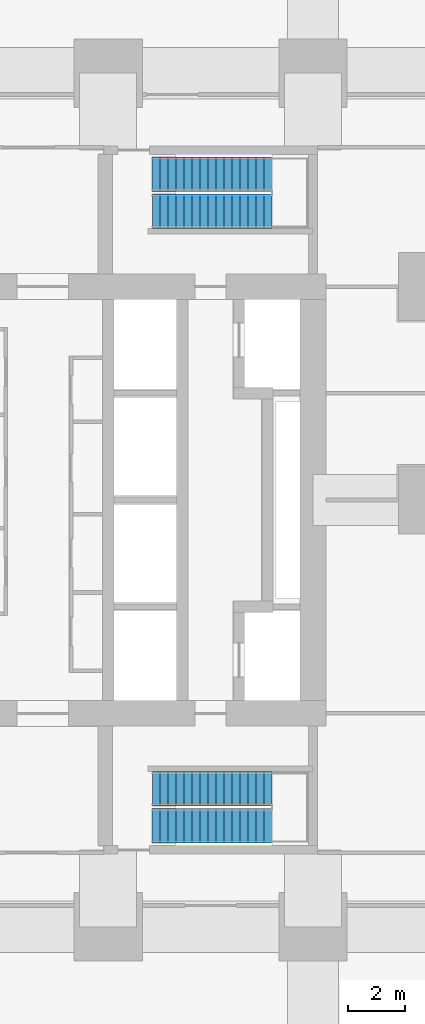
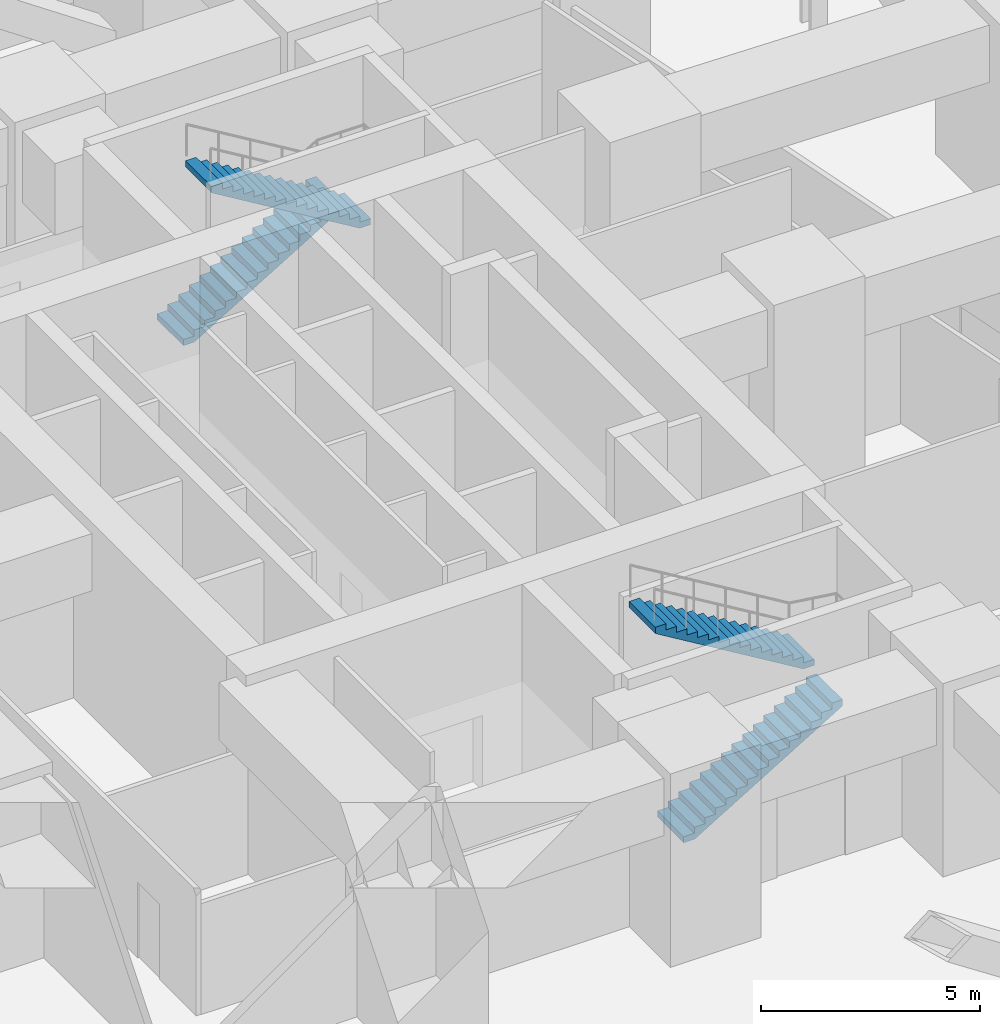
# One storey, part 7 of 8: 4 stair flights, 2 elements without a shape of their own.
"""IFC4 building model written with IfcOpenShell, lengths in metres."""

from ifc_helpers import new_model, si_unit, direction, frame, origin, place, context, subcontext, project, spatial, triangles, material, type_object, element, aggregate, save


model = new_model("IFC4")

# Units and contexts
model_context = context("Model", 3, precision=1e-05, world=origin(), true_north=direction((0.0, 1.0)))
body_context = subcontext(model_context, "Body", "Model", "MODEL_VIEW")
ifc_project = project(units=[si_unit("LENGTHUNIT", "METRE"), si_unit("AREAUNIT", "SQUARE_METRE"), si_unit("VOLUMEUNIT", "CUBIC_METRE"), si_unit("PLANEANGLEUNIT", "RADIAN"), si_unit("MASSUNIT", "GRAM", prefix="KILO")], contexts=[model_context])

# Site, building, storey
site_placement = place(None, origin())
site = spatial("IfcSite", under=ifc_project, at=site_placement, CompositionType="ELEMENT")
building_placement = place(site_placement, origin())
building = spatial("IfcBuilding", under=site, at=building_placement, Name="Sheger Commons Tower", CompositionType="ELEMENT")
storey_placement = place(building_placement, frame((0.0, 0.0, 14.60009765625)))
storey = spatial("IfcBuildingStorey", under=building, at=storey_placement, Name="L03", CompositionType="ELEMENT", Elevation=14.60009765625)

# Stair, stair flights
ifc_material_1 = material(Name="Concrete C35/45", Category="concrete")
stair_type = type_object("IfcStairType", Name="HALF-TURN STAIR 1200 RISE 5400", PredefinedType="HALF_TURN_STAIR", material=ifc_material_1)
stair_1_placement = place(storey_placement, origin())
stair_1 = element("IfcStair", 1, at=stair_1_placement, inside=storey, type_object=stair_type, Name="Stair S1 L03", PredefinedType="HALF_TURN_STAIR")
ifc_material_2 = material(Name="Concrete C35/45", Category="concrete")
stair_flight_type = type_object("IfcStairFlightType", Name="STAIR FLIGHT 1200 16 RISERS OF 169", PredefinedType="STRAIGHT", material=ifc_material_2)
stair_flight_1_placement = place(storey_placement, frame((23.14990234375, 11.050048828125, 0.0), z_axis=(0.0, 0.0, 1.0), x_axis=(1.0, 0.0, 0.0)))
stair_flight_1 = element("IfcStairFlight", 2, at=stair_flight_1_placement, type_object=stair_flight_type, Name="S1 flight 1", NumberOfRisers=16, NumberOfTreads=15, PredefinedType="STRAIGHT", RiserHeight=0.16875, TreadLength=0.28, context=body_context, shape_type="Tessellation", body=[
    triangles([(0.0, 0.5999755859375, 0.0), (0.0, 0.5999755859375, 0.168701171875), (0.280029296875, 0.5999755859375, 0.168701171875), (0.280029296875, 0.5999755859375, 0.33740234375), (0.56005859375, 0.5999755859375, 0.33740234375), (0.56005859375, 0.5999755859375, 0.50634765625), (0.840087890625, 0.5999755859375, 0.50634765625), (0.840087890625, 0.5999755859375, 0.675048828125), (1.1201171875, 0.5999755859375, 0.675048828125), (1.1201171875, 0.5999755859375, 0.84375), (1.39990234375, 0.5999755859375, 0.84375), (1.39990234375, 0.5999755859375, 1.012451171875), (1.679931640625, 0.5999755859375, 1.012451171875), (1.679931640625, 0.5999755859375, 1.18115234375), (1.9599609375, 0.5999755859375, 1.18115234375), (1.9599609375, 0.5999755859375, 1.35009765625), (2.239990234375, 0.5999755859375, 1.35009765625), (2.239990234375, 0.5999755859375, 1.518798828125), (2.52001953125, 0.5999755859375, 1.518798828125), (2.52001953125, 0.5999755859375, 1.6875), (2.800048828125, 0.5999755859375, 1.6875), (2.800048828125, 0.5999755859375, 1.856201171875), (3.080078125, 0.5999755859375, 1.856201171875), (3.080078125, 0.5999755859375, 2.02490234375), (3.360107421875, 0.5999755859375, 2.02490234375), (3.360107421875, 0.5999755859375, 2.19384765625), (3.639892578125, 0.5999755859375, 2.19384765625), (3.639892578125, 0.5999755859375, 2.362548828125), (3.919921875, 0.5999755859375, 2.362548828125), (3.919921875, 0.5999755859375, 2.53125), (4.199951171875, 0.5999755859375, 2.53125), (4.199951171875, 0.5999755859375, 2.356201171875), (0.29052734375, 0.5999755859375, 0.0), (0.0, -0.5999755859375, 0.0), (0.0, -0.5999755859375, 0.168701171875), (0.280029296875, -0.5999755859375, 0.168701171875), (0.280029296875, -0.5999755859375, 0.33740234375), (0.56005859375, -0.5999755859375, 0.33740234375), (0.56005859375, -0.5999755859375, 0.50634765625), (0.840087890625, -0.5999755859375, 0.50634765625), (0.840087890625, -0.5999755859375, 0.675048828125), (1.1201171875, -0.5999755859375, 0.675048828125), (1.1201171875, -0.5999755859375, 0.84375), (1.39990234375, -0.5999755859375, 0.84375), (1.39990234375, -0.5999755859375, 1.012451171875), (1.679931640625, -0.5999755859375, 1.012451171875), (1.679931640625, -0.5999755859375, 1.18115234375), (1.9599609375, -0.5999755859375, 1.18115234375), (1.9599609375, -0.5999755859375, 1.35009765625), (2.239990234375, -0.5999755859375, 1.35009765625), (2.239990234375, -0.5999755859375, 1.518798828125), (2.52001953125, -0.5999755859375, 1.518798828125), (2.52001953125, -0.5999755859375, 1.6875), (2.800048828125, -0.5999755859375, 1.6875), (2.800048828125, -0.5999755859375, 1.856201171875), (3.080078125, -0.5999755859375, 1.856201171875), (3.080078125, -0.5999755859375, 2.02490234375), (3.360107421875, -0.5999755859375, 2.02490234375), (3.360107421875, -0.5999755859375, 2.19384765625), (3.639892578125, -0.5999755859375, 2.19384765625), (3.639892578125, -0.5999755859375, 2.362548828125), (3.919921875, -0.5999755859375, 2.362548828125), (3.919921875, -0.5999755859375, 2.53125), (4.199951171875, -0.5999755859375, 2.53125), (4.199951171875, -0.5999755859375, 2.356201171875), (0.29052734375, -0.5999755859375, 0.0), (0.0, 0.0, 0.0843505859375), (0.1400146484375, 0.0, 0.168701171875), (0.280029296875, 0.0, 0.2530517578125), (0.4200439453125, 0.0, 0.33740234375), (0.56005859375, 0.0, 0.421875), (0.7000732421875, 0.0, 0.50634765625), (0.840087890625, 0.0, 0.5906982421875), (0.9801025390625, 0.0, 0.675048828125), (1.1201171875, 0.0, 0.7593994140625), (1.260009765625, 0.0, 0.84375), (1.39990234375, 0.0, 0.9281005859375), (1.5399169921875, 0.0, 1.012451171875), (1.679931640625, 0.0, 1.0968017578125), (1.8199462890625, 0.0, 1.18115234375), (1.9599609375, 0.0, 1.265625), (2.0999755859375, 0.0, 1.35009765625), (2.239990234375, 0.0, 1.4344482421875), (2.3800048828125, 0.0, 1.518798828125), (2.52001953125, 0.0, 1.6031494140625), (2.6600341796875, 0.0, 1.6875), (2.800048828125, 0.0, 1.7718505859375), (2.9400634765625, 0.0, 1.856201171875), (3.080078125, 0.0, 1.9405517578125), (3.2200927734375, 0.0, 2.02490234375), (3.360107421875, 0.0, 2.109375), (3.5, 0.0, 2.19384765625), (3.639892578125, 0.0, 2.2781982421875), (3.7799072265625, 0.0, 2.362548828125), (3.919921875, 0.0, 2.4468994140625), (4.0599365234375, 0.0, 2.53125), (4.199951171875, 0.0, 2.4437255859375), (2.2452392578125, 0.0, 1.1781005859375), (0.145263671875, 0.0, 0.0)], [[1, 32, 33], [34, 66, 65], [32, 30, 31], [65, 64, 63], [32, 29, 30], [65, 63, 62], [32, 28, 29], [65, 62, 61], [32, 27, 28], [65, 61, 60], [27, 25, 26], [60, 59, 58], [32, 25, 27], [65, 60, 58], [25, 23, 24], [58, 57, 56], [32, 23, 25], [65, 58, 56], [23, 21, 22], [56, 55, 54], [32, 21, 23], [65, 56, 54], [21, 19, 20], [54, 53, 52], [32, 19, 21], [65, 54, 52], [19, 17, 18], [52, 51, 50], [32, 17, 19], [65, 52, 50], [17, 15, 16], [50, 49, 48], [32, 15, 17], [65, 50, 48], [15, 13, 14], [48, 47, 46], [32, 13, 15], [65, 48, 46], [13, 11, 12], [46, 45, 44], [32, 11, 13], [65, 46, 44], [11, 9, 10], [44, 43, 42], [32, 9, 11], [65, 44, 42], [9, 7, 8], [42, 41, 40], [32, 7, 9], [65, 42, 40], [7, 5, 6], [40, 39, 38], [32, 5, 7], [65, 40, 38], [5, 3, 4], [38, 37, 36], [32, 3, 5], [65, 38, 36], [1, 3, 32], [34, 65, 36], [3, 1, 2], [36, 35, 34], [1, 67, 2], [2, 67, 35], [35, 67, 34], [34, 67, 1], [2, 68, 3], [3, 68, 36], [36, 68, 35], [35, 68, 2], [3, 69, 4], [4, 69, 37], [37, 69, 36], [36, 69, 3], [4, 70, 5], [5, 70, 38], [38, 70, 37], [37, 70, 4], [5, 71, 6], [6, 71, 39], [39, 71, 38], [38, 71, 5], [6, 72, 7], [7, 72, 40], [40, 72, 39], [39, 72, 6], [7, 73, 8], [8, 73, 41], [41, 73, 40], [40, 73, 7], [8, 74, 9], [9, 74, 42], [42, 74, 41], [41, 74, 8], [9, 75, 10], [10, 75, 43], [43, 75, 42], [42, 75, 9], [10, 76, 11], [11, 76, 44], [44, 76, 43], [43, 76, 10], [11, 77, 12], [12, 77, 45], [45, 77, 44], [44, 77, 11], [12, 78, 13], [13, 78, 46], [46, 78, 45], [45, 78, 12], [13, 79, 14], [14, 79, 47], [47, 79, 46], [46, 79, 13], [14, 80, 15], [15, 80, 48], [48, 80, 47], [47, 80, 14], [15, 81, 16], [16, 81, 49], [49, 81, 48], [48, 81, 15], [16, 82, 17], [17, 82, 50], [50, 82, 49], [49, 82, 16], [17, 83, 18], [18, 83, 51], [51, 83, 50], [50, 83, 17], [18, 84, 19], [19, 84, 52], [52, 84, 51], [51, 84, 18], [19, 85, 20], [20, 85, 53], [53, 85, 52], [52, 85, 19], [20, 86, 21], [21, 86, 54], [54, 86, 53], [53, 86, 20], [21, 87, 22], [22, 87, 55], [55, 87, 54], [54, 87, 21], [22, 88, 23], [23, 88, 56], [56, 88, 55], [55, 88, 22], [23, 89, 24], [24, 89, 57], [57, 89, 56], [56, 89, 23], [24, 90, 25], [25, 90, 58], [58, 90, 57], [57, 90, 24], [25, 91, 26], [26, 91, 59], [59, 91, 58], [58, 91, 25], [26, 92, 27], [27, 92, 60], [60, 92, 59], [59, 92, 26], [27, 93, 28], [28, 93, 61], [61, 93, 60], [60, 93, 27], [28, 94, 29], [29, 94, 62], [62, 94, 61], [61, 94, 28], [29, 95, 30], [30, 95, 63], [63, 95, 62], [62, 95, 29], [30, 96, 31], [31, 96, 64], [64, 96, 63], [63, 96, 30], [31, 97, 32], [32, 97, 65], [65, 97, 64], [64, 97, 31], [32, 98, 33], [33, 98, 66], [66, 98, 65], [65, 98, 32], [33, 99, 1], [1, 99, 34], [34, 99, 66], [66, 99, 33]], closed=True),
])
stair_flight_2_placement = place(storey_placement, frame((27.35009765625, 12.35009765625, 2.699951171875), z_axis=(0.0, 0.0, 1.0), x_axis=(-1.0, 0.0, 0.0)))
stair_flight_2 = element("IfcStairFlight", 3, at=stair_flight_2_placement, type_object=stair_flight_type, Name="S1 flight 2", NumberOfRisers=16, NumberOfTreads=15, PredefinedType="STRAIGHT", RiserHeight=0.16875, TreadLength=0.28, context=body_context, shape_type="Tessellation", body=[
    triangles([(0.0, 0.5999755859375, 0.0), (0.0, 0.5999755859375, 0.168701171875), (0.280029296875, 0.5999755859375, 0.168701171875), (0.280029296875, 0.5999755859375, 0.33740234375), (0.56005859375, 0.5999755859375, 0.33740234375), (0.56005859375, 0.5999755859375, 0.50634765625), (0.840087890625, 0.5999755859375, 0.50634765625), (0.840087890625, 0.5999755859375, 0.675048828125), (1.1201171875, 0.5999755859375, 0.675048828125), (1.1201171875, 0.5999755859375, 0.84375), (1.39990234375, 0.5999755859375, 0.84375), (1.39990234375, 0.5999755859375, 1.012451171875), (1.679931640625, 0.5999755859375, 1.012451171875), (1.679931640625, 0.5999755859375, 1.18115234375), (1.9599609375, 0.5999755859375, 1.18115234375), (1.9599609375, 0.5999755859375, 1.35009765625), (2.239990234375, 0.5999755859375, 1.35009765625), (2.239990234375, 0.5999755859375, 1.518798828125), (2.52001953125, 0.5999755859375, 1.518798828125), (2.52001953125, 0.5999755859375, 1.6875), (2.800048828125, 0.5999755859375, 1.6875), (2.800048828125, 0.5999755859375, 1.856201171875), (3.080078125, 0.5999755859375, 1.856201171875), (3.080078125, 0.5999755859375, 2.02490234375), (3.360107421875, 0.5999755859375, 2.02490234375), (3.360107421875, 0.5999755859375, 2.19384765625), (3.639892578125, 0.5999755859375, 2.19384765625), (3.639892578125, 0.5999755859375, 2.362548828125), (3.919921875, 0.5999755859375, 2.362548828125), (3.919921875, 0.5999755859375, 2.53125), (4.199951171875, 0.5999755859375, 2.53125), (4.199951171875, 0.5999755859375, 2.356201171875), (0.29052734375, 0.5999755859375, 0.0), (0.0, -0.5999755859375, 0.0), (0.0, -0.5999755859375, 0.168701171875), (0.280029296875, -0.5999755859375, 0.168701171875), (0.280029296875, -0.5999755859375, 0.33740234375), (0.56005859375, -0.5999755859375, 0.33740234375), (0.56005859375, -0.5999755859375, 0.50634765625), (0.840087890625, -0.5999755859375, 0.50634765625), (0.840087890625, -0.5999755859375, 0.675048828125), (1.1201171875, -0.5999755859375, 0.675048828125), (1.1201171875, -0.5999755859375, 0.84375), (1.39990234375, -0.5999755859375, 0.84375), (1.39990234375, -0.5999755859375, 1.012451171875), (1.679931640625, -0.5999755859375, 1.012451171875), (1.679931640625, -0.5999755859375, 1.18115234375), (1.9599609375, -0.5999755859375, 1.18115234375), (1.9599609375, -0.5999755859375, 1.35009765625), (2.239990234375, -0.5999755859375, 1.35009765625), (2.239990234375, -0.5999755859375, 1.518798828125), (2.52001953125, -0.5999755859375, 1.518798828125), (2.52001953125, -0.5999755859375, 1.6875), (2.800048828125, -0.5999755859375, 1.6875), (2.800048828125, -0.5999755859375, 1.856201171875), (3.080078125, -0.5999755859375, 1.856201171875), (3.080078125, -0.5999755859375, 2.02490234375), (3.360107421875, -0.5999755859375, 2.02490234375), (3.360107421875, -0.5999755859375, 2.19384765625), (3.639892578125, -0.5999755859375, 2.19384765625), (3.639892578125, -0.5999755859375, 2.362548828125), (3.919921875, -0.5999755859375, 2.362548828125), (3.919921875, -0.5999755859375, 2.53125), (4.199951171875, -0.5999755859375, 2.53125), (4.199951171875, -0.5999755859375, 2.356201171875), (0.29052734375, -0.5999755859375, 0.0), (0.0, 0.0, 0.0843505859375), (0.1400146484375, 0.0, 0.168701171875), (0.280029296875, 0.0, 0.2530517578125), (0.4200439453125, 0.0, 0.33740234375), (0.56005859375, 0.0, 0.421875), (0.7000732421875, 0.0, 0.50634765625), (0.840087890625, 0.0, 0.5906982421875), (0.9801025390625, 0.0, 0.675048828125), (1.1201171875, 0.0, 0.7593994140625), (1.260009765625, 0.0, 0.84375), (1.39990234375, 0.0, 0.9281005859375), (1.5399169921875, 0.0, 1.012451171875), (1.679931640625, 0.0, 1.0968017578125), (1.8199462890625, 0.0, 1.18115234375), (1.9599609375, 0.0, 1.265625), (2.0999755859375, 0.0, 1.35009765625), (2.239990234375, 0.0, 1.4344482421875), (2.3800048828125, 0.0, 1.518798828125), (2.52001953125, 0.0, 1.6031494140625), (2.6600341796875, 0.0, 1.6875), (2.800048828125, 0.0, 1.7718505859375), (2.9400634765625, 0.0, 1.856201171875), (3.080078125, 0.0, 1.9405517578125), (3.2200927734375, 0.0, 2.02490234375), (3.360107421875, 0.0, 2.109375), (3.5, 0.0, 2.19384765625), (3.639892578125, 0.0, 2.2781982421875), (3.7799072265625, 0.0, 2.362548828125), (3.919921875, 0.0, 2.4468994140625), (4.0599365234375, 0.0, 2.53125), (4.199951171875, 0.0, 2.4437255859375), (2.2452392578125, 0.0, 1.1781005859375), (0.145263671875, 0.0, 0.0)], [[1, 32, 33], [34, 66, 65], [32, 30, 31], [65, 64, 63], [32, 29, 30], [65, 63, 62], [32, 28, 29], [65, 62, 61], [32, 27, 28], [65, 61, 60], [27, 25, 26], [60, 59, 58], [32, 25, 27], [65, 60, 58], [25, 23, 24], [58, 57, 56], [32, 23, 25], [65, 58, 56], [23, 21, 22], [56, 55, 54], [32, 21, 23], [65, 56, 54], [21, 19, 20], [54, 53, 52], [32, 19, 21], [65, 54, 52], [19, 17, 18], [52, 51, 50], [32, 17, 19], [65, 52, 50], [17, 15, 16], [50, 49, 48], [32, 15, 17], [65, 50, 48], [15, 13, 14], [48, 47, 46], [32, 13, 15], [65, 48, 46], [13, 11, 12], [46, 45, 44], [32, 11, 13], [65, 46, 44], [11, 9, 10], [44, 43, 42], [32, 9, 11], [65, 44, 42], [9, 7, 8], [42, 41, 40], [32, 7, 9], [65, 42, 40], [7, 5, 6], [40, 39, 38], [32, 5, 7], [65, 40, 38], [5, 3, 4], [38, 37, 36], [32, 3, 5], [65, 38, 36], [1, 3, 32], [34, 65, 36], [3, 1, 2], [36, 35, 34], [1, 67, 2], [2, 67, 35], [35, 67, 34], [34, 67, 1], [2, 68, 3], [3, 68, 36], [36, 68, 35], [35, 68, 2], [3, 69, 4], [4, 69, 37], [37, 69, 36], [36, 69, 3], [4, 70, 5], [5, 70, 38], [38, 70, 37], [37, 70, 4], [5, 71, 6], [6, 71, 39], [39, 71, 38], [38, 71, 5], [6, 72, 7], [7, 72, 40], [40, 72, 39], [39, 72, 6], [7, 73, 8], [8, 73, 41], [41, 73, 40], [40, 73, 7], [8, 74, 9], [9, 74, 42], [42, 74, 41], [41, 74, 8], [9, 75, 10], [10, 75, 43], [43, 75, 42], [42, 75, 9], [10, 76, 11], [11, 76, 44], [44, 76, 43], [43, 76, 10], [11, 77, 12], [12, 77, 45], [45, 77, 44], [44, 77, 11], [12, 78, 13], [13, 78, 46], [46, 78, 45], [45, 78, 12], [13, 79, 14], [14, 79, 47], [47, 79, 46], [46, 79, 13], [14, 80, 15], [15, 80, 48], [48, 80, 47], [47, 80, 14], [15, 81, 16], [16, 81, 49], [49, 81, 48], [48, 81, 15], [16, 82, 17], [17, 82, 50], [50, 82, 49], [49, 82, 16], [17, 83, 18], [18, 83, 51], [51, 83, 50], [50, 83, 17], [18, 84, 19], [19, 84, 52], [52, 84, 51], [51, 84, 18], [19, 85, 20], [20, 85, 53], [53, 85, 52], [52, 85, 19], [20, 86, 21], [21, 86, 54], [54, 86, 53], [53, 86, 20], [21, 87, 22], [22, 87, 55], [55, 87, 54], [54, 87, 21], [22, 88, 23], [23, 88, 56], [56, 88, 55], [55, 88, 22], [23, 89, 24], [24, 89, 57], [57, 89, 56], [56, 89, 23], [24, 90, 25], [25, 90, 58], [58, 90, 57], [57, 90, 24], [25, 91, 26], [26, 91, 59], [59, 91, 58], [58, 91, 25], [26, 92, 27], [27, 92, 60], [60, 92, 59], [59, 92, 26], [27, 93, 28], [28, 93, 61], [61, 93, 60], [60, 93, 27], [28, 94, 29], [29, 94, 62], [62, 94, 61], [61, 94, 28], [29, 95, 30], [30, 95, 63], [63, 95, 62], [62, 95, 29], [30, 96, 31], [31, 96, 64], [64, 96, 63], [63, 96, 30], [31, 97, 32], [32, 97, 65], [65, 97, 64], [64, 97, 31], [32, 98, 33], [33, 98, 66], [66, 98, 65], [65, 98, 32], [33, 99, 1], [1, 99, 34], [34, 99, 66], [66, 99, 33]], closed=True),
])
aggregate(stair_1, [stair_flight_1, stair_flight_2])

stair_2_placement = place(storey_placement, origin())
stair_2 = element("IfcStair", 4, at=stair_2_placement, inside=storey, type_object=stair_type, Name="Stair S2 L03", PredefinedType="HALF_TURN_STAIR")
stair_flight_3_placement = place(storey_placement, frame((23.14990234375, 33.949951171875, 0.0), z_axis=(0.0, 0.0, 1.0), x_axis=(1.0, 0.0, 0.0)))
stair_flight_3 = element("IfcStairFlight", 5, at=stair_flight_3_placement, type_object=stair_flight_type, Name="S2 flight 1", NumberOfRisers=16, NumberOfTreads=15, PredefinedType="STRAIGHT", RiserHeight=0.16875, TreadLength=0.28, context=body_context, shape_type="Tessellation", body=[
    triangles([(0.0, 0.5999755859375, 0.0), (0.0, 0.5999755859375, 0.168701171875), (0.280029296875, 0.5999755859375, 0.168701171875), (0.280029296875, 0.5999755859375, 0.33740234375), (0.56005859375, 0.5999755859375, 0.33740234375), (0.56005859375, 0.5999755859375, 0.50634765625), (0.840087890625, 0.5999755859375, 0.50634765625), (0.840087890625, 0.5999755859375, 0.675048828125), (1.1201171875, 0.5999755859375, 0.675048828125), (1.1201171875, 0.5999755859375, 0.84375), (1.39990234375, 0.5999755859375, 0.84375), (1.39990234375, 0.5999755859375, 1.012451171875), (1.679931640625, 0.5999755859375, 1.012451171875), (1.679931640625, 0.5999755859375, 1.18115234375), (1.9599609375, 0.5999755859375, 1.18115234375), (1.9599609375, 0.5999755859375, 1.35009765625), (2.239990234375, 0.5999755859375, 1.35009765625), (2.239990234375, 0.5999755859375, 1.518798828125), (2.52001953125, 0.5999755859375, 1.518798828125), (2.52001953125, 0.5999755859375, 1.6875), (2.800048828125, 0.5999755859375, 1.6875), (2.800048828125, 0.5999755859375, 1.856201171875), (3.080078125, 0.5999755859375, 1.856201171875), (3.080078125, 0.5999755859375, 2.02490234375), (3.360107421875, 0.5999755859375, 2.02490234375), (3.360107421875, 0.5999755859375, 2.19384765625), (3.639892578125, 0.5999755859375, 2.19384765625), (3.639892578125, 0.5999755859375, 2.362548828125), (3.919921875, 0.5999755859375, 2.362548828125), (3.919921875, 0.5999755859375, 2.53125), (4.199951171875, 0.5999755859375, 2.53125), (4.199951171875, 0.5999755859375, 2.356201171875), (0.29052734375, 0.5999755859375, 0.0), (0.0, -0.5999755859375, 0.0), (0.0, -0.5999755859375, 0.168701171875), (0.280029296875, -0.5999755859375, 0.168701171875), (0.280029296875, -0.5999755859375, 0.33740234375), (0.56005859375, -0.5999755859375, 0.33740234375), (0.56005859375, -0.5999755859375, 0.50634765625), (0.840087890625, -0.5999755859375, 0.50634765625), (0.840087890625, -0.5999755859375, 0.675048828125), (1.1201171875, -0.5999755859375, 0.675048828125), (1.1201171875, -0.5999755859375, 0.84375), (1.39990234375, -0.5999755859375, 0.84375), (1.39990234375, -0.5999755859375, 1.012451171875), (1.679931640625, -0.5999755859375, 1.012451171875), (1.679931640625, -0.5999755859375, 1.18115234375), (1.9599609375, -0.5999755859375, 1.18115234375), (1.9599609375, -0.5999755859375, 1.35009765625), (2.239990234375, -0.5999755859375, 1.35009765625), (2.239990234375, -0.5999755859375, 1.518798828125), (2.52001953125, -0.5999755859375, 1.518798828125), (2.52001953125, -0.5999755859375, 1.6875), (2.800048828125, -0.5999755859375, 1.6875), (2.800048828125, -0.5999755859375, 1.856201171875), (3.080078125, -0.5999755859375, 1.856201171875), (3.080078125, -0.5999755859375, 2.02490234375), (3.360107421875, -0.5999755859375, 2.02490234375), (3.360107421875, -0.5999755859375, 2.19384765625), (3.639892578125, -0.5999755859375, 2.19384765625), (3.639892578125, -0.5999755859375, 2.362548828125), (3.919921875, -0.5999755859375, 2.362548828125), (3.919921875, -0.5999755859375, 2.53125), (4.199951171875, -0.5999755859375, 2.53125), (4.199951171875, -0.5999755859375, 2.356201171875), (0.29052734375, -0.5999755859375, 0.0), (0.0, 0.0, 0.0843505859375), (0.1400146484375, 0.0, 0.168701171875), (0.280029296875, 0.0, 0.2530517578125), (0.4200439453125, 0.0, 0.33740234375), (0.56005859375, 0.0, 0.421875), (0.7000732421875, 0.0, 0.50634765625), (0.840087890625, 0.0, 0.5906982421875), (0.9801025390625, 0.0, 0.675048828125), (1.1201171875, 0.0, 0.7593994140625), (1.260009765625, 0.0, 0.84375), (1.39990234375, 0.0, 0.9281005859375), (1.5399169921875, 0.0, 1.012451171875), (1.679931640625, 0.0, 1.0968017578125), (1.8199462890625, 0.0, 1.18115234375), (1.9599609375, 0.0, 1.265625), (2.0999755859375, 0.0, 1.35009765625), (2.239990234375, 0.0, 1.4344482421875), (2.3800048828125, 0.0, 1.518798828125), (2.52001953125, 0.0, 1.6031494140625), (2.6600341796875, 0.0, 1.6875), (2.800048828125, 0.0, 1.7718505859375), (2.9400634765625, 0.0, 1.856201171875), (3.080078125, 0.0, 1.9405517578125), (3.2200927734375, 0.0, 2.02490234375), (3.360107421875, 0.0, 2.109375), (3.5, 0.0, 2.19384765625), (3.639892578125, 0.0, 2.2781982421875), (3.7799072265625, 0.0, 2.362548828125), (3.919921875, 0.0, 2.4468994140625), (4.0599365234375, 0.0, 2.53125), (4.199951171875, 0.0, 2.4437255859375), (2.2452392578125, 0.0, 1.1781005859375), (0.145263671875, 0.0, 0.0)], [[1, 32, 33], [34, 66, 65], [32, 30, 31], [65, 64, 63], [32, 29, 30], [65, 63, 62], [32, 28, 29], [65, 62, 61], [32, 27, 28], [65, 61, 60], [27, 25, 26], [60, 59, 58], [32, 25, 27], [65, 60, 58], [25, 23, 24], [58, 57, 56], [32, 23, 25], [65, 58, 56], [23, 21, 22], [56, 55, 54], [32, 21, 23], [65, 56, 54], [21, 19, 20], [54, 53, 52], [32, 19, 21], [65, 54, 52], [19, 17, 18], [52, 51, 50], [32, 17, 19], [65, 52, 50], [17, 15, 16], [50, 49, 48], [32, 15, 17], [65, 50, 48], [15, 13, 14], [48, 47, 46], [32, 13, 15], [65, 48, 46], [13, 11, 12], [46, 45, 44], [32, 11, 13], [65, 46, 44], [11, 9, 10], [44, 43, 42], [32, 9, 11], [65, 44, 42], [9, 7, 8], [42, 41, 40], [32, 7, 9], [65, 42, 40], [7, 5, 6], [40, 39, 38], [32, 5, 7], [65, 40, 38], [5, 3, 4], [38, 37, 36], [32, 3, 5], [65, 38, 36], [1, 3, 32], [34, 65, 36], [3, 1, 2], [36, 35, 34], [1, 67, 2], [2, 67, 35], [35, 67, 34], [34, 67, 1], [2, 68, 3], [3, 68, 36], [36, 68, 35], [35, 68, 2], [3, 69, 4], [4, 69, 37], [37, 69, 36], [36, 69, 3], [4, 70, 5], [5, 70, 38], [38, 70, 37], [37, 70, 4], [5, 71, 6], [6, 71, 39], [39, 71, 38], [38, 71, 5], [6, 72, 7], [7, 72, 40], [40, 72, 39], [39, 72, 6], [7, 73, 8], [8, 73, 41], [41, 73, 40], [40, 73, 7], [8, 74, 9], [9, 74, 42], [42, 74, 41], [41, 74, 8], [9, 75, 10], [10, 75, 43], [43, 75, 42], [42, 75, 9], [10, 76, 11], [11, 76, 44], [44, 76, 43], [43, 76, 10], [11, 77, 12], [12, 77, 45], [45, 77, 44], [44, 77, 11], [12, 78, 13], [13, 78, 46], [46, 78, 45], [45, 78, 12], [13, 79, 14], [14, 79, 47], [47, 79, 46], [46, 79, 13], [14, 80, 15], [15, 80, 48], [48, 80, 47], [47, 80, 14], [15, 81, 16], [16, 81, 49], [49, 81, 48], [48, 81, 15], [16, 82, 17], [17, 82, 50], [50, 82, 49], [49, 82, 16], [17, 83, 18], [18, 83, 51], [51, 83, 50], [50, 83, 17], [18, 84, 19], [19, 84, 52], [52, 84, 51], [51, 84, 18], [19, 85, 20], [20, 85, 53], [53, 85, 52], [52, 85, 19], [20, 86, 21], [21, 86, 54], [54, 86, 53], [53, 86, 20], [21, 87, 22], [22, 87, 55], [55, 87, 54], [54, 87, 21], [22, 88, 23], [23, 88, 56], [56, 88, 55], [55, 88, 22], [23, 89, 24], [24, 89, 57], [57, 89, 56], [56, 89, 23], [24, 90, 25], [25, 90, 58], [58, 90, 57], [57, 90, 24], [25, 91, 26], [26, 91, 59], [59, 91, 58], [58, 91, 25], [26, 92, 27], [27, 92, 60], [60, 92, 59], [59, 92, 26], [27, 93, 28], [28, 93, 61], [61, 93, 60], [60, 93, 27], [28, 94, 29], [29, 94, 62], [62, 94, 61], [61, 94, 28], [29, 95, 30], [30, 95, 63], [63, 95, 62], [62, 95, 29], [30, 96, 31], [31, 96, 64], [64, 96, 63], [63, 96, 30], [31, 97, 32], [32, 97, 65], [65, 97, 64], [64, 97, 31], [32, 98, 33], [33, 98, 66], [66, 98, 65], [65, 98, 32], [33, 99, 1], [1, 99, 34], [34, 99, 66], [66, 99, 33]], closed=True),
])
stair_flight_4_placement = place(storey_placement, frame((27.35009765625, 32.64990234375, 2.699951171875), z_axis=(0.0, 0.0, 1.0), x_axis=(-1.0, 0.0, 0.0)))
stair_flight_4 = element("IfcStairFlight", 6, at=stair_flight_4_placement, type_object=stair_flight_type, Name="S2 flight 2", NumberOfRisers=16, NumberOfTreads=15, PredefinedType="STRAIGHT", RiserHeight=0.16875, TreadLength=0.28, context=body_context, shape_type="Tessellation", body=[
    triangles([(0.0, 0.5999755859375, 0.0), (0.0, 0.5999755859375, 0.168701171875), (0.280029296875, 0.5999755859375, 0.168701171875), (0.280029296875, 0.5999755859375, 0.33740234375), (0.56005859375, 0.5999755859375, 0.33740234375), (0.56005859375, 0.5999755859375, 0.50634765625), (0.840087890625, 0.5999755859375, 0.50634765625), (0.840087890625, 0.5999755859375, 0.675048828125), (1.1201171875, 0.5999755859375, 0.675048828125), (1.1201171875, 0.5999755859375, 0.84375), (1.39990234375, 0.5999755859375, 0.84375), (1.39990234375, 0.5999755859375, 1.012451171875), (1.679931640625, 0.5999755859375, 1.012451171875), (1.679931640625, 0.5999755859375, 1.18115234375), (1.9599609375, 0.5999755859375, 1.18115234375), (1.9599609375, 0.5999755859375, 1.35009765625), (2.239990234375, 0.5999755859375, 1.35009765625), (2.239990234375, 0.5999755859375, 1.518798828125), (2.52001953125, 0.5999755859375, 1.518798828125), (2.52001953125, 0.5999755859375, 1.6875), (2.800048828125, 0.5999755859375, 1.6875), (2.800048828125, 0.5999755859375, 1.856201171875), (3.080078125, 0.5999755859375, 1.856201171875), (3.080078125, 0.5999755859375, 2.02490234375), (3.360107421875, 0.5999755859375, 2.02490234375), (3.360107421875, 0.5999755859375, 2.19384765625), (3.639892578125, 0.5999755859375, 2.19384765625), (3.639892578125, 0.5999755859375, 2.362548828125), (3.919921875, 0.5999755859375, 2.362548828125), (3.919921875, 0.5999755859375, 2.53125), (4.199951171875, 0.5999755859375, 2.53125), (4.199951171875, 0.5999755859375, 2.356201171875), (0.29052734375, 0.5999755859375, 0.0), (0.0, -0.5999755859375, 0.0), (0.0, -0.5999755859375, 0.168701171875), (0.280029296875, -0.5999755859375, 0.168701171875), (0.280029296875, -0.5999755859375, 0.33740234375), (0.56005859375, -0.5999755859375, 0.33740234375), (0.56005859375, -0.5999755859375, 0.50634765625), (0.840087890625, -0.5999755859375, 0.50634765625), (0.840087890625, -0.5999755859375, 0.675048828125), (1.1201171875, -0.5999755859375, 0.675048828125), (1.1201171875, -0.5999755859375, 0.84375), (1.39990234375, -0.5999755859375, 0.84375), (1.39990234375, -0.5999755859375, 1.012451171875), (1.679931640625, -0.5999755859375, 1.012451171875), (1.679931640625, -0.5999755859375, 1.18115234375), (1.9599609375, -0.5999755859375, 1.18115234375), (1.9599609375, -0.5999755859375, 1.35009765625), (2.239990234375, -0.5999755859375, 1.35009765625), (2.239990234375, -0.5999755859375, 1.518798828125), (2.52001953125, -0.5999755859375, 1.518798828125), (2.52001953125, -0.5999755859375, 1.6875), (2.800048828125, -0.5999755859375, 1.6875), (2.800048828125, -0.5999755859375, 1.856201171875), (3.080078125, -0.5999755859375, 1.856201171875), (3.080078125, -0.5999755859375, 2.02490234375), (3.360107421875, -0.5999755859375, 2.02490234375), (3.360107421875, -0.5999755859375, 2.19384765625), (3.639892578125, -0.5999755859375, 2.19384765625), (3.639892578125, -0.5999755859375, 2.362548828125), (3.919921875, -0.5999755859375, 2.362548828125), (3.919921875, -0.5999755859375, 2.53125), (4.199951171875, -0.5999755859375, 2.53125), (4.199951171875, -0.5999755859375, 2.356201171875), (0.29052734375, -0.5999755859375, 0.0), (0.0, 0.0, 0.0843505859375), (0.1400146484375, 0.0, 0.168701171875), (0.280029296875, 0.0, 0.2530517578125), (0.4200439453125, 0.0, 0.33740234375), (0.56005859375, 0.0, 0.421875), (0.7000732421875, 0.0, 0.50634765625), (0.840087890625, 0.0, 0.5906982421875), (0.9801025390625, 0.0, 0.675048828125), (1.1201171875, 0.0, 0.7593994140625), (1.260009765625, 0.0, 0.84375), (1.39990234375, 0.0, 0.9281005859375), (1.5399169921875, 0.0, 1.012451171875), (1.679931640625, 0.0, 1.0968017578125), (1.8199462890625, 0.0, 1.18115234375), (1.9599609375, 0.0, 1.265625), (2.0999755859375, 0.0, 1.35009765625), (2.239990234375, 0.0, 1.4344482421875), (2.3800048828125, 0.0, 1.518798828125), (2.52001953125, 0.0, 1.6031494140625), (2.6600341796875, 0.0, 1.6875), (2.800048828125, 0.0, 1.7718505859375), (2.9400634765625, 0.0, 1.856201171875), (3.080078125, 0.0, 1.9405517578125), (3.2200927734375, 0.0, 2.02490234375), (3.360107421875, 0.0, 2.109375), (3.5, 0.0, 2.19384765625), (3.639892578125, 0.0, 2.2781982421875), (3.7799072265625, 0.0, 2.362548828125), (3.919921875, 0.0, 2.4468994140625), (4.0599365234375, 0.0, 2.53125), (4.199951171875, 0.0, 2.4437255859375), (2.2452392578125, 0.0, 1.1781005859375), (0.145263671875, 0.0, 0.0)], [[1, 32, 33], [34, 66, 65], [32, 30, 31], [65, 64, 63], [32, 29, 30], [65, 63, 62], [32, 28, 29], [65, 62, 61], [32, 27, 28], [65, 61, 60], [27, 25, 26], [60, 59, 58], [32, 25, 27], [65, 60, 58], [25, 23, 24], [58, 57, 56], [32, 23, 25], [65, 58, 56], [23, 21, 22], [56, 55, 54], [32, 21, 23], [65, 56, 54], [21, 19, 20], [54, 53, 52], [32, 19, 21], [65, 54, 52], [19, 17, 18], [52, 51, 50], [32, 17, 19], [65, 52, 50], [17, 15, 16], [50, 49, 48], [32, 15, 17], [65, 50, 48], [15, 13, 14], [48, 47, 46], [32, 13, 15], [65, 48, 46], [13, 11, 12], [46, 45, 44], [32, 11, 13], [65, 46, 44], [11, 9, 10], [44, 43, 42], [32, 9, 11], [65, 44, 42], [9, 7, 8], [42, 41, 40], [32, 7, 9], [65, 42, 40], [7, 5, 6], [40, 39, 38], [32, 5, 7], [65, 40, 38], [5, 3, 4], [38, 37, 36], [32, 3, 5], [65, 38, 36], [1, 3, 32], [34, 65, 36], [3, 1, 2], [36, 35, 34], [1, 67, 2], [2, 67, 35], [35, 67, 34], [34, 67, 1], [2, 68, 3], [3, 68, 36], [36, 68, 35], [35, 68, 2], [3, 69, 4], [4, 69, 37], [37, 69, 36], [36, 69, 3], [4, 70, 5], [5, 70, 38], [38, 70, 37], [37, 70, 4], [5, 71, 6], [6, 71, 39], [39, 71, 38], [38, 71, 5], [6, 72, 7], [7, 72, 40], [40, 72, 39], [39, 72, 6], [7, 73, 8], [8, 73, 41], [41, 73, 40], [40, 73, 7], [8, 74, 9], [9, 74, 42], [42, 74, 41], [41, 74, 8], [9, 75, 10], [10, 75, 43], [43, 75, 42], [42, 75, 9], [10, 76, 11], [11, 76, 44], [44, 76, 43], [43, 76, 10], [11, 77, 12], [12, 77, 45], [45, 77, 44], [44, 77, 11], [12, 78, 13], [13, 78, 46], [46, 78, 45], [45, 78, 12], [13, 79, 14], [14, 79, 47], [47, 79, 46], [46, 79, 13], [14, 80, 15], [15, 80, 48], [48, 80, 47], [47, 80, 14], [15, 81, 16], [16, 81, 49], [49, 81, 48], [48, 81, 15], [16, 82, 17], [17, 82, 50], [50, 82, 49], [49, 82, 16], [17, 83, 18], [18, 83, 51], [51, 83, 50], [50, 83, 17], [18, 84, 19], [19, 84, 52], [52, 84, 51], [51, 84, 18], [19, 85, 20], [20, 85, 53], [53, 85, 52], [52, 85, 19], [20, 86, 21], [21, 86, 54], [54, 86, 53], [53, 86, 20], [21, 87, 22], [22, 87, 55], [55, 87, 54], [54, 87, 21], [22, 88, 23], [23, 88, 56], [56, 88, 55], [55, 88, 22], [23, 89, 24], [24, 89, 57], [57, 89, 56], [56, 89, 23], [24, 90, 25], [25, 90, 58], [58, 90, 57], [57, 90, 24], [25, 91, 26], [26, 91, 59], [59, 91, 58], [58, 91, 25], [26, 92, 27], [27, 92, 60], [60, 92, 59], [59, 92, 26], [27, 93, 28], [28, 93, 61], [61, 93, 60], [60, 93, 27], [28, 94, 29], [29, 94, 62], [62, 94, 61], [61, 94, 28], [29, 95, 30], [30, 95, 63], [63, 95, 62], [62, 95, 29], [30, 96, 31], [31, 96, 64], [64, 96, 63], [63, 96, 30], [31, 97, 32], [32, 97, 65], [65, 97, 64], [64, 97, 31], [32, 98, 33], [33, 98, 66], [66, 98, 65], [65, 98, 32], [33, 99, 1], [1, 99, 34], [34, 99, 66], [66, 99, 33]], closed=True),
])
aggregate(stair_2, [stair_flight_3, stair_flight_4])

save(model, "model.ifc")
